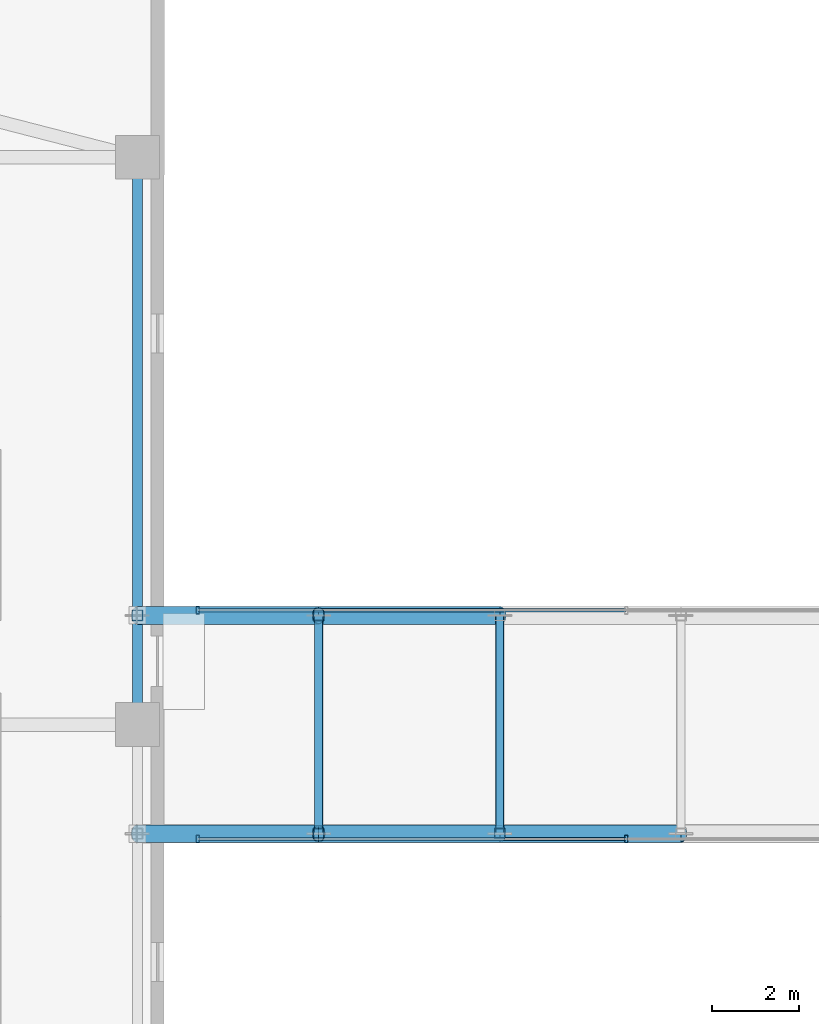
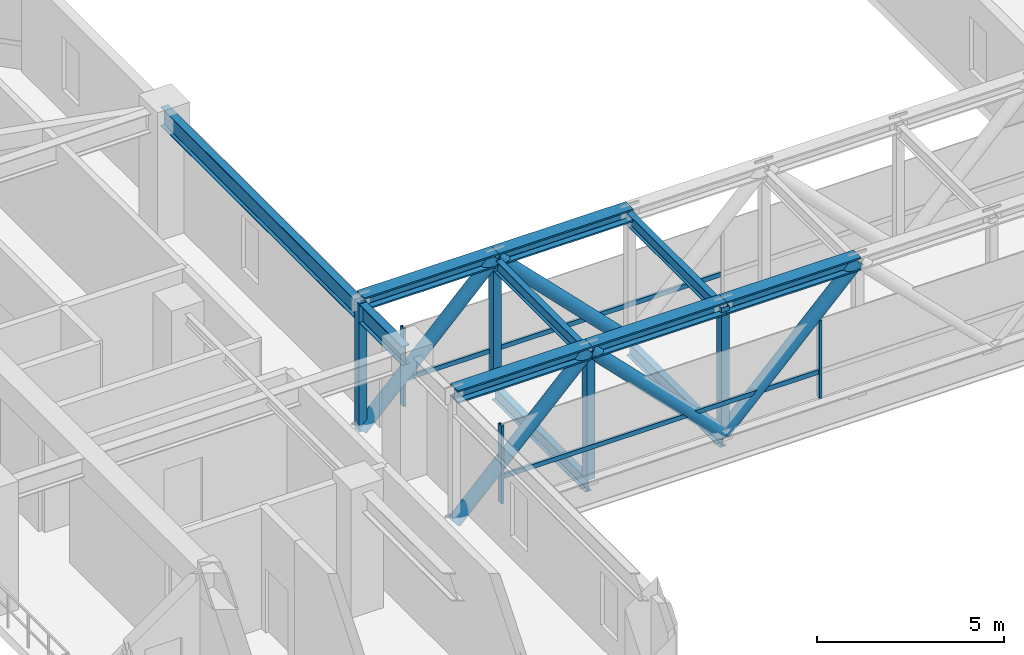
# One storey, part 8 of 42: 19 members, 5 beams, 2 elements without a shape of their own.
"""IFC4 building model written with IfcOpenShell, lengths in metres."""

from ifc_helpers import new_model, si_unit, direction, frame, origin, origin_2d, place, context, subcontext, project, spatial, hollow_rectangle, hollow_circle, i_section, extrude, material, material_profile, profile_set, type_object, element, aggregate, save


model = new_model("IFC4")

# Units and contexts
model_context = context("Model", 3, precision=1e-05, world=origin(), true_north=direction((0.0, 1.0)))
body_context = subcontext(model_context, "Body", "Model", "MODEL_VIEW")
ifc_project = project(units=[si_unit("LENGTHUNIT", "METRE"), si_unit("AREAUNIT", "SQUARE_METRE"), si_unit("VOLUMEUNIT", "CUBIC_METRE"), si_unit("PLANEANGLEUNIT", "RADIAN"), si_unit("MASSUNIT", "GRAM", prefix="KILO")], contexts=[model_context])

# Site, building, storey
site_placement = place(None, origin())
site = spatial("IfcSite", under=ifc_project, at=site_placement, CompositionType="ELEMENT")
building_placement = place(site_placement, origin())
building = spatial("IfcBuilding", under=site, at=building_placement, Name="Thornwick Lancets Civic Towers", CompositionType="ELEMENT")
storey_placement = place(building_placement, frame((0.0, 0.0, 221.699951171875)))
storey = spatial("IfcBuildingStorey", under=building, at=storey_placement, Name="L59", CompositionType="ELEMENT", Elevation=221.699951171875)

# Beams
ifc_material_1 = material(Name="Steel S355JR", Category="steel")
ifc_material_profile_1 = material_profile(ifc_material_1, i_section(OverallWidth=0.230224609375, OverallDepth=0.6171875, WebThickness=0.01318359375, FlangeThickness=0.022216796875, FilletRadius=0.0126953125, at=origin_2d()), Name="UKB 610x229x140")
ifc_profile_set_1 = profile_set([ifc_material_profile_1], Name="Steel S355JR")
beam_type_1 = type_object("IfcBeamType", Name="BM_GIRD_610_140", PredefinedType="BEAM", material=ifc_profile_set_1)
beam_placement = place(storey_placement, frame((42.800048828125, 27.080078125, 3.6513671875), z_axis=(0.0, 1.0, 0.0), x_axis=(-1.0, 0.0, 0.0)))
element("IfcBeam", 1, at=beam_placement, inside=storey, type_object=beam_type_1, Name="BM-SPINE-L59-A-4-5", PredefinedType="BEAM", context=body_context, shape_type="SweptSolid", body=[
    extrude(i_section(OverallWidth=0.230224609375, OverallDepth=0.6171875, WebThickness=0.01318359375, FlangeThickness=0.022216796875, FilletRadius=0.0126953125, at=origin_2d()), origin(), (0.0, 0.0, 1.0), 12.919921875),
])
ifc_material_profile_2 = material_profile(ifc_material_1, i_section(OverallWidth=0.179443359375, OverallDepth=0.412841796875, WebThickness=0.009521484375, FlangeThickness=0.01611328125, FilletRadius=0.01025390625, at=origin_2d()), Name="UKB 406x178x74")
ifc_profile_set_2 = profile_set([ifc_material_profile_2], Name="Steel S355JR")
beam_type_2 = type_object("IfcBeamType", Name="BM_JOIST_406_74", PredefinedType="JOIST", material=ifc_profile_set_2)
for number, where, z_axis, x_axis, name in (
    (2, (46.949951171875, 24.5, 3.753662109375), (0.0, 1.0, 0.0), (-1.0, 0.0, 0.0), "BM-L59-SB-RBM-1"),
    (3, (51.10009765625, 24.5, 3.753662109375), (0.0, 1.0, 0.0), (-1.0, 0.0, 0.0), "BM-L59-SB-RBM-2"),
):
    element("IfcBeam", number, at=place(storey_placement, frame(where, z_axis=z_axis, x_axis=x_axis)), inside=storey, type_object=beam_type_2, Name=name, PredefinedType="JOIST", context=body_context, shape_type="SweptSolid", body=[
        extrude(i_section(OverallWidth=0.179443359375, OverallDepth=0.412841796875, WebThickness=0.009521484375, FlangeThickness=0.01611328125, FilletRadius=0.01025390625, at=origin_2d()), origin(), (0.0, 0.0, 1.0), 5.0),
    ])
ifc_material_profile_3 = material_profile(ifc_material_1, i_section(OverallWidth=0.19189453125, OverallDepth=0.46337890625, WebThickness=0.010498046875, FlangeThickness=0.017578125, FilletRadius=0.01025390625, at=origin_2d()), Name="UKB 457x191x89")
ifc_profile_set_3 = profile_set([ifc_material_profile_3], Name="Steel S355JR")
beam_type_3 = type_object("IfcBeamType", Name="BM_JOIST_457_89", PredefinedType="JOIST", material=ifc_profile_set_3)
for number, where, z_axis, x_axis, name in (
    (4, (46.949951171875, 24.5, -0.45166015625), (0.0, 1.0, 0.0), (-1.0, 0.0, 0.0), "BM-L59-SB-XBM-1"),
    (5, (51.10009765625, 24.5, -0.45166015625), (0.0, 1.0, 0.0), (-1.0, 0.0, 0.0), "BM-L59-SB-XBM-2"),
):
    element("IfcBeam", number, at=place(storey_placement, frame(where, z_axis=z_axis, x_axis=x_axis)), inside=storey, type_object=beam_type_3, Name=name, PredefinedType="JOIST", context=body_context, shape_type="SweptSolid", body=[
        extrude(i_section(OverallWidth=0.19189453125, OverallDepth=0.46337890625, WebThickness=0.010498046875, FlangeThickness=0.017578125, FilletRadius=0.01025390625, at=origin_2d()), origin(), (0.0, 0.0, 1.0), 5.0),
    ])

# Curtain wall, members
ifc_material_2 = material(Name="Skybridge acoustic laminated-glass curtain wall", Category="glass")
curtain_wall_type = type_object("IfcCurtainWallType", Name="CW_SYS_06", PredefinedType="NOTDEFINED", material=ifc_material_2)
curtain_wall_1_placement = place(storey_placement, origin())
curtain_wall_1 = element("IfcCurtainWall", 6, at=curtain_wall_1_placement, inside=storey, type_object=curtain_wall_type, Name="L59 Curtain Wall CW-L59-SKYBRIDGE-S", PredefinedType="NOTDEFINED")
ifc_material_3 = material(Name="Thermally broken bronze aluminium S355", Category="steel")
ifc_material_profile_4 = material_profile(ifc_material_3, hollow_rectangle(XDim=0.074951171875, YDim=0.179931640625, WallThickness=0.006103515625, at=origin_2d()), Name="RHS 180x75x6")
ifc_profile_set_4 = profile_set([ifc_material_profile_4], Name="Thermally broken bronze aluminium S355")
member_type_1 = type_object("IfcMemberType", Name="CW_MUL_180", PredefinedType="MULLION", material=ifc_profile_set_4)
member_1_placement = place(storey_placement, frame((44.179931640625, 24.3798828125, 0.0), z_axis=(0.0, 0.0, 1.0), x_axis=(1.0, 0.0, 0.0)))
member_1 = element("IfcMember", 7, at=member_1_placement, type_object=member_type_1, Name="CW-L59-SKYBRIDGE-S Mullion 0", PredefinedType="MULLION", context=body_context, shape_type="SweptSolid", body=[
    extrude(hollow_rectangle(XDim=0.074951171875, YDim=0.179931640625, WallThickness=0.006103515625, at=origin_2d()), origin(), (0.0, 0.0, 1.0), 2.550048828125),
])
member_2_placement = place(storey_placement, frame((54.0, 24.3798828125, 0.0), z_axis=(0.0, 0.0, 1.0), x_axis=(1.0, 0.0, 0.0)))
member_2 = element("IfcMember", 8, at=member_2_placement, type_object=member_type_1, Name="CW-L59-SKYBRIDGE-S Mullion 1", PredefinedType="MULLION", context=body_context, shape_type="SweptSolid", body=[
    extrude(hollow_rectangle(XDim=0.074951171875, YDim=0.179931640625, WallThickness=0.006103515625, at=origin_2d()), origin(), (0.0, 0.0, 1.0), 2.550048828125),
])

# Curtain wall, member
curtain_wall_2_placement = place(storey_placement, origin())
curtain_wall_2 = element("IfcCurtainWall", 9, at=curtain_wall_2_placement, inside=storey, type_object=curtain_wall_type, Name="L59 Curtain Wall CW-L59-SKYBRIDGE-N", PredefinedType="NOTDEFINED")
member_3_placement = place(storey_placement, frame((44.179931640625, 29.6201171875, 0.0), z_axis=(0.0, 0.0, 1.0), x_axis=(1.0, 0.0, 0.0)))
member_3 = element("IfcMember", 10, at=member_3_placement, type_object=member_type_1, Name="CW-L59-SKYBRIDGE-N Mullion 2", PredefinedType="MULLION", context=body_context, shape_type="SweptSolid", body=[
    extrude(hollow_rectangle(XDim=0.074951171875, YDim=0.179931640625, WallThickness=0.006103515625, at=origin_2d()), origin(), (0.0, 0.0, 1.0), 2.550048828125),
])

# Member
ifc_material_profile_5 = material_profile(ifc_material_3, hollow_rectangle(XDim=0.074951171875, YDim=0.14990234375, WallThickness=0.0048828125, at=origin_2d()), Name="RHS 150x75x5")
ifc_profile_set_5 = profile_set([ifc_material_profile_5], Name="Thermally broken bronze aluminium S355")
member_type_2 = type_object("IfcMemberType", Name="CW_TRN_150", PredefinedType="USERDEFINED", material=ifc_profile_set_5)
member_4_placement = place(storey_placement, frame((44.199951171875, 24.3798828125, 0.85009765625), z_axis=(1.0, 0.0, 0.0), x_axis=(0.0, 1.0, 0.0)))
member_4 = element("IfcMember", 11, at=member_4_placement, type_object=member_type_2, Name="CW-L59-SKYBRIDGE-S Transom 0", ObjectType="TRANSOM", PredefinedType="USERDEFINED", context=body_context, shape_type="SweptSolid", body=[
    extrude(hollow_rectangle(XDim=0.074951171875, YDim=0.14990234375, WallThickness=0.0048828125, at=origin_2d()), origin(), (0.0, 0.0, 1.0), 9.780029296875),
])

aggregate(curtain_wall_1, [member_1, member_2, member_4])

member_5_placement = place(storey_placement, frame((53.97998046875, 29.6201171875, 0.85009765625), z_axis=(-1.0, 0.0, 0.0), x_axis=(0.0, -1.0, 0.0)))
member_5 = element("IfcMember", 12, at=member_5_placement, type_object=member_type_2, Name="CW-L59-SKYBRIDGE-N Transom 1", ObjectType="TRANSOM", PredefinedType="USERDEFINED", context=body_context, shape_type="SweptSolid", body=[
    extrude(hollow_rectangle(XDim=0.074951171875, YDim=0.14990234375, WallThickness=0.0048828125, at=origin_2d()), origin(), (0.0, 0.0, 1.0), 9.780029296875),
])

aggregate(curtain_wall_2, [member_3, member_5])

# Members
ifc_material_4 = material(Name="Steel S460M", Category="steel")
ifc_material_profile_6 = material_profile(ifc_material_4, i_section(OverallWidth=0.406982421875, OverallDepth=0.4189453125, WebThickness=0.030517578125, FlangeThickness=0.04931640625, FilletRadius=0.01513671875, at=origin_2d()), Name="UKC 356x406x393")
ifc_profile_set_6 = profile_set([ifc_material_profile_6], Name="Steel S460M")
member_type_3 = type_object("IfcMemberType", Name="MEM_BRG_CHORD_393", PredefinedType="CHORD", material=ifc_profile_set_6)
member_6_placement = place(storey_placement, frame((42.800048828125, 24.5, 3.9599609375), z_axis=(1.0, 0.0, 0.0), x_axis=(0.0, 1.0, 0.0)))
element("IfcMember", 13, at=member_6_placement, inside=storey, type_object=member_type_3, Name="L59 Skybridge Top Chord 1-0", PredefinedType="CHORD", context=body_context, shape_type="SweptSolid", body=[
    extrude(i_section(OverallWidth=0.406982421875, OverallDepth=0.4189453125, WebThickness=0.030517578125, FlangeThickness=0.04931640625, FilletRadius=0.01513671875, at=origin_2d()), origin(), (0.0, 0.0, 1.0), 4.14990234375),
])
member_7_placement = place(storey_placement, frame((46.949951171875, 24.5, 3.9599609375), z_axis=(1.0, 0.0, 0.0), x_axis=(0.0, 1.0, 0.0)))
element("IfcMember", 14, at=member_7_placement, inside=storey, type_object=member_type_3, Name="L59 Skybridge Top Chord 1-1", PredefinedType="CHORD", context=body_context, shape_type="SweptSolid", body=[
    extrude(i_section(OverallWidth=0.406982421875, OverallDepth=0.4189453125, WebThickness=0.030517578125, FlangeThickness=0.04931640625, FilletRadius=0.01513671875, at=origin_2d()), origin(), (0.0, 0.0, 1.0), 4.150146484375),
])
for number, where, z_axis, x_axis, name in (
    (15, (51.10009765625, 24.5, 3.9599609375), (1.0, 0.0, 0.0), (0.0, 1.0, 0.0), "L59 Skybridge Top Chord 1-2"),
    (16, (42.800048828125, 29.5, 3.9599609375), (1.0, 0.0, 0.0), (0.0, 1.0, 0.0), "L59 Skybridge Top Chord 2-0"),
):
    element("IfcMember", number, at=place(storey_placement, frame(where, z_axis=z_axis, x_axis=x_axis)), inside=storey, type_object=member_type_3, Name=name, PredefinedType="CHORD", context=body_context, shape_type="SweptSolid", body=[
        extrude(i_section(OverallWidth=0.406982421875, OverallDepth=0.4189453125, WebThickness=0.030517578125, FlangeThickness=0.04931640625, FilletRadius=0.01513671875, at=origin_2d()), origin(), (0.0, 0.0, 1.0), 4.14990234375),
    ])
member_8_placement = place(storey_placement, frame((46.949951171875, 29.5, 3.9599609375), z_axis=(1.0, 0.0, 0.0), x_axis=(0.0, 1.0, 0.0)))
element("IfcMember", 17, at=member_8_placement, inside=storey, type_object=member_type_3, Name="L59 Skybridge Top Chord 2-1", PredefinedType="CHORD", context=body_context, shape_type="SweptSolid", body=[
    extrude(i_section(OverallWidth=0.406982421875, OverallDepth=0.4189453125, WebThickness=0.030517578125, FlangeThickness=0.04931640625, FilletRadius=0.01513671875, at=origin_2d()), origin(), (0.0, 0.0, 1.0), 4.150146484375),
])
ifc_material_profile_7 = material_profile(ifc_material_4, hollow_circle(Radius=0.203125, WallThickness=0.02001953125, at=origin_2d()), Name="CHS 406.4x20")
ifc_profile_set_7 = profile_set([ifc_material_profile_7], Name="Steel S460M")
member_type_4 = type_object("IfcMemberType", Name="MEM_BRG_WEB_CHS406", PredefinedType="BRACE", material=ifc_profile_set_7)
member_9_placement = place(storey_placement, frame((42.800048828125, 24.5, -0.219970703125), z_axis=(0.704553062157, 0.0, 0.709651310578), x_axis=(0.0, 1.0, 0.0)))
element("IfcMember", 18, at=member_9_placement, inside=storey, type_object=member_type_4, Name="L59 Skybridge Truss Diagonal 1-0", PredefinedType="BRACE", context=body_context, shape_type="SweptSolid", body=[
    extrude(hollow_circle(Radius=0.203125, WallThickness=0.02001953125, at=origin_2d()), origin(), (0.0, 0.0, 1.0), 5.89013671875),
])
member_10_placement = place(storey_placement, frame((46.949951171875, 24.5, 3.9599609375), z_axis=(0.704573935254, 0.0, -0.709630586827), x_axis=(0.0, 1.0, 0.0)))
element("IfcMember", 19, at=member_10_placement, inside=storey, type_object=member_type_4, Name="L59 Skybridge Truss Diagonal 1-1", PredefinedType="BRACE", context=body_context, shape_type="SweptSolid", body=[
    extrude(hollow_circle(Radius=0.203125, WallThickness=0.02001953125, at=origin_2d()), origin(), (0.0, 0.0, 1.0), 5.890380859375),
])
for number, where, z_axis, x_axis, name in (
    (20, (51.10009765625, 24.5, -0.219970703125), (0.704553062157, 0.0, 0.709651310578), (0.0, 1.0, 0.0), "L59 Skybridge Truss Diagonal 1-2"),
    (21, (42.800048828125, 29.5, -0.219970703125), (0.704553062157, 0.0, 0.709651310578), (0.0, 1.0, 0.0), "L59 Skybridge Truss Diagonal 2-0"),
):
    element("IfcMember", number, at=place(storey_placement, frame(where, z_axis=z_axis, x_axis=x_axis)), inside=storey, type_object=member_type_4, Name=name, PredefinedType="BRACE", context=body_context, shape_type="SweptSolid", body=[
        extrude(hollow_circle(Radius=0.203125, WallThickness=0.02001953125, at=origin_2d()), origin(), (0.0, 0.0, 1.0), 5.89013671875),
    ])
member_11_placement = place(storey_placement, frame((46.949951171875, 29.5, 3.9599609375), z_axis=(0.704573935254, 0.0, -0.709630586827), x_axis=(0.0, 1.0, 0.0)))
element("IfcMember", 22, at=member_11_placement, inside=storey, type_object=member_type_4, Name="L59 Skybridge Truss Diagonal 2-1", PredefinedType="BRACE", context=body_context, shape_type="SweptSolid", body=[
    extrude(hollow_circle(Radius=0.203125, WallThickness=0.02001953125, at=origin_2d()), origin(), (0.0, 0.0, 1.0), 5.890380859375),
])
ifc_material_profile_8 = material_profile(ifc_material_4, hollow_rectangle(XDim=0.25, YDim=0.25, WallThickness=0.01611328125, at=origin_2d()), Name="SHS 250x250x16")
ifc_profile_set_8 = profile_set([ifc_material_profile_8], Name="Steel S460M")
member_type_5 = type_object("IfcMemberType", Name="MEM_BRG_WEB_SHS250", PredefinedType="BRACE", material=ifc_profile_set_8)
for number, where, z_axis, x_axis, name in (
    (23, (46.949951171875, 24.5, -0.219970703125), (0.0, 0.0, 1.0), (1.0, 0.0, 0.0), "L59 Skybridge Truss Post 1-1"),
    (24, (51.10009765625, 24.5, -0.219970703125), (0.0, 0.0, 1.0), (1.0, 0.0, 0.0), "L59 Skybridge Truss Post 1-2"),
    (25, (42.800048828125, 29.5, -0.219970703125), (0.0, 0.0, 1.0), (1.0, 0.0, 0.0), "L59 Skybridge Truss Post 2-0"),
    (26, (46.949951171875, 29.5, -0.219970703125), (0.0, 0.0, 1.0), (1.0, 0.0, 0.0), "L59 Skybridge Truss Post 2-1"),
):
    element("IfcMember", number, at=place(storey_placement, frame(where, z_axis=z_axis, x_axis=x_axis)), inside=storey, type_object=member_type_5, Name=name, PredefinedType="BRACE", context=body_context, shape_type="SweptSolid", body=[
        extrude(hollow_rectangle(XDim=0.25, YDim=0.25, WallThickness=0.01611328125, at=origin_2d()), origin(), (0.0, 0.0, 1.0), 4.179931640625),
    ])

save(model, "model.ifc")
